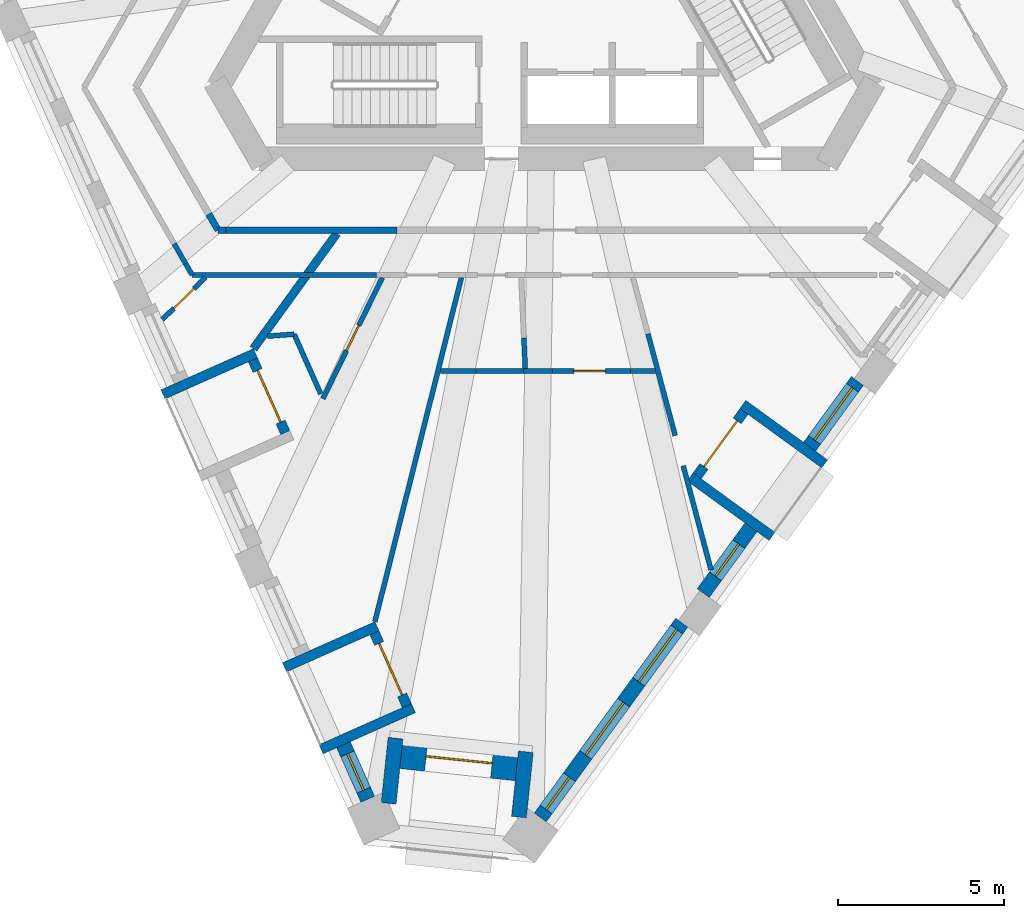
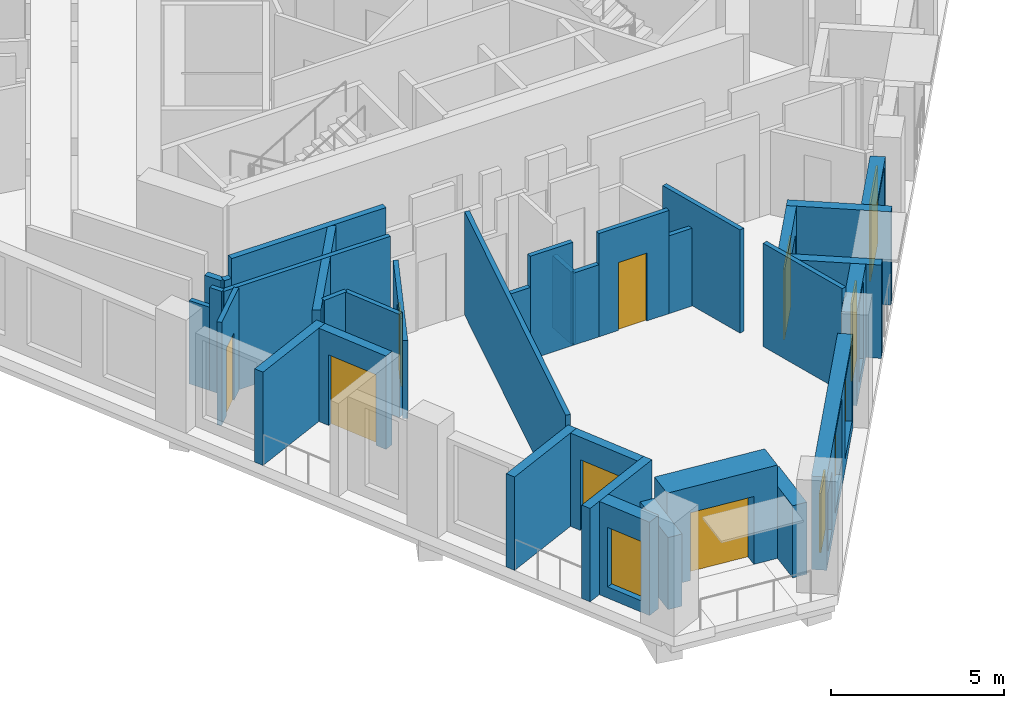
# One storey, part 2 of 11: 35 walls, 7 doors, 6 windows, 13 openings.
"""IFC4 building model written with IfcOpenShell, lengths in metres."""

from ifc_helpers import new_model, si_unit, direction, frame, frame_2d, origin, place, context, subcontext, project, spatial, rectangle, extrude, material, layer, layer_set, type_object, element, fill, save


model = new_model("IFC4")

# Units and contexts
model_context = context("Model", 3, precision=1e-05, world=origin(), true_north=direction((0.0, 1.0)))
body_context = subcontext(model_context, "Body", "Model", "MODEL_VIEW")
ifc_project = project(units=[si_unit("LENGTHUNIT", "METRE"), si_unit("AREAUNIT", "SQUARE_METRE"), si_unit("VOLUMEUNIT", "CUBIC_METRE"), si_unit("PLANEANGLEUNIT", "RADIAN"), si_unit("MASSUNIT", "GRAM", prefix="KILO")], contexts=[model_context])

# Site, building, storey
site_placement = place(None, origin())
site = spatial("IfcSite", under=ifc_project, at=site_placement, CompositionType="ELEMENT")
building_placement = place(site_placement, origin())
building = spatial("IfcBuilding", under=site, at=building_placement, Name="Tramontana Tower", CompositionType="ELEMENT")
storey_placement = place(building_placement, frame((0.0, 0.0, 249.199951171875)))
storey = spatial("IfcBuildingStorey", under=building, at=storey_placement, Name="L58", CompositionType="ELEMENT", Elevation=249.199951171875)

# Walls
ifc_material_1 = material(Name="Blockwork", Category="masonry")
ifc_layer_1 = layer(ifc_material_1, 0.199951171875)
ifc_layer_set_1 = layer_set([ifc_layer_1], Name="ENTRY WALL 200")
wall_type_1 = type_object("IfcWallType", Name="ENTRY WALL 200", PredefinedType="SOLIDWALL", material=ifc_layer_set_1)
wall_1_placement = place(storey_placement, frame((-4.447998046875, -8.550048828125, 0.0), z_axis=(0.0, 0.0, 1.0), x_axis=(-1.0, 0.0, 0.0)))
element("IfcWall", 1, at=wall_1_placement, inside=storey, type_object=wall_type_1, Name="Wall v61-ew1-10", PredefinedType="SOLIDWALL", context=body_context, shape_type="SweptSolid", body=[
    extrude(rectangle(XDim=5.161376953125, YDim=0.199951171875, at=frame_2d((2.58056640625, 0.0))), origin(), (0.0, 0.0, 1.0), 3.650146484375),
])
wall_2_placement = place(storey_placement, frame((-9.609375, -8.550048828125, 0.0), z_axis=(0.0, 0.0, 1.0), x_axis=(-1.0, 0.0, 0.0)))
element("IfcWall", 2, at=wall_2_placement, inside=storey, type_object=wall_type_1, Name="Wall v61-ew1-11", PredefinedType="SOLIDWALL", context=body_context, shape_type="SweptSolid", body=[
    extrude(rectangle(XDim=0.234375, YDim=0.199951171875, at=frame_2d((0.1171875, 0.0))), origin(), (0.0, 0.0, 1.0), 2.949951171875),
])
wall_3_placement = place(storey_placement, frame((-9.84375, -8.550048828125, 0.0), z_axis=(0.0, 0.0, 1.0), x_axis=(-0.500000383388, 0.866025182435, 0.0)))
element("IfcWall", 3, at=wall_3_placement, inside=storey, type_object=wall_type_1, Name="Wall v61-ew2-0", PredefinedType="SOLIDWALL", context=body_context, shape_type="SweptSolid", body=[
    extrude(rectangle(XDim=0.5576171875, YDim=0.199951171875, at=frame_2d((0.27880859375, 0.0))), origin(), (0.0, 0.0, 1.0), 2.949951171875),
])

# Wall, opening, window
ifc_material_2 = material(Name="Precast concrete 60 MPa", Category="concrete")
ifc_layer_2 = layer(ifc_material_2, 0.449951171875)
ifc_layer_set_2 = layer_set([ifc_layer_2], Name="Precast concrete 60 MPa, 450 mm")
wall_type_2 = type_object("IfcWallType", Name="EW1 Stone-faced precast wall 450", PredefinedType="SOLIDWALL", material=ifc_layer_set_2)
wall_4_placement = place(storey_placement, frame((-6.062744140625, -24.060546875, 0.0), z_axis=(0.0, 0.0, 1.0), x_axis=(0.406666293293, -0.913576776138, 0.0)))
wall_4 = element("IfcWall", 4, at=wall_4_placement, inside=storey, type_object=wall_type_2, Name="External wall L58 face 0 bay 5", PredefinedType="SOLIDWALL", context=body_context, shape_type="SweptSolid", body=[
    extrude(rectangle(XDim=1.80224609375, YDim=0.449951171875, at=frame_2d((0.901123046875, 0.0))), origin(), (0.0, 0.0, 1.0), 3.300048828125),
])
opening_1_placement = place(wall_4_placement, frame((0.301025390625, 0.0, 0.39990234375)))
opening_1 = element("IfcOpeningElement", 5, at=opening_1_placement, cuts=wall_4, Name="Opening N3L", PredefinedType="OPENING", context=body_context, shape_type="SweptSolid", body=[
    extrude(rectangle(XDim=1.199951171875, YDim=2.10009765625, at=frame_2d((0.60009765625, 1.050048828125))), frame((0.0, 0.23486328125, 0.0), z_axis=(0.0, -1.0, 0.0), x_axis=(1.0, 0.0, 0.0)), (0.0, 0.0, 1.0), 0.469970703125),
])
ifc_material_3 = material(Name="Aluminum frame, double glazing unit", Category="aluminium")
window_type_1 = type_object("IfcWindowType", Name="N3L Window 1.2 x 2.1", PartitioningType="SINGLE_PANEL", PredefinedType="WINDOW", material=ifc_material_3)
window_1_placement = place(opening_1_placement, origin())
window_1 = element("IfcWindow", 6, at=window_1_placement, inside=storey, type_object=window_type_1, Name="Window N3L L58 face 0 module 15", OverallHeight=2.10009765625, OverallWidth=1.199951171875, PartitioningType="SINGLE_PANEL", PredefinedType="WINDOW", context=body_context, shape_type="SweptSolid", body=[
    extrude(rectangle(XDim=1.199951171875, YDim=2.10009765625, at=frame_2d((0.60009765625, 1.050048828125))), frame((0.0, 0.030029296875, 0.0), z_axis=(0.0, -1.0, 0.0), x_axis=(1.0, 0.0, 0.0)), (0.0, 0.0, 1.0), 0.06005859375),
])
fill(opening_1, window_1)

# Wall, openings, windows
wall_5_placement = place(storey_placement, frame((-0.13134765625, -26.25341796875, 0.0), z_axis=(0.0, 0.0, 1.0), x_axis=(0.587781549195, 0.80901968482, 0.0)))
wall_5 = element("IfcWall", 7, at=wall_5_placement, inside=storey, type_object=wall_type_2, Name="External wall L58 face 1 bay 1", PredefinedType="SOLIDWALL", context=body_context, shape_type="SweptSolid", body=[
    extrude(rectangle(XDim=7.2568359375, YDim=0.449951171875, at=frame_2d((3.62841796875, 0.0))), origin(), (0.0, 0.0, 1.0), 3.300048828125),
])
opening_2_placement = place(wall_5_placement, frame((0.301025390625, 0.0, 0.39990234375)))
opening_2 = element("IfcOpeningElement", 8, at=opening_2_placement, cuts=wall_5, Name="Opening N3L", PredefinedType="OPENING", context=body_context, shape_type="SweptSolid", body=[
    extrude(rectangle(XDim=1.199951171875, YDim=2.10009765625, at=frame_2d((0.60009765625, 1.050048828125))), frame((0.0, 0.23486328125, 0.0), z_axis=(0.0, -1.0, 0.0), x_axis=(1.0, 0.0, 0.0)), (0.0, 0.0, 1.0), 0.469970703125),
])
opening_3_placement = place(wall_5_placement, frame((2.328369140625, 0.0, 0.39990234375)))
opening_3 = element("IfcOpeningElement", 9, at=opening_3_placement, cuts=wall_5, Name="Opening M3", PredefinedType="OPENING", context=body_context, shape_type="SweptSolid", body=[
    extrude(rectangle(XDim=1.949951171875, YDim=2.75, at=frame_2d((0.97509765625, 1.375))), frame((0.0, 0.23486328125, 0.0), z_axis=(0.0, -1.0, 0.0), x_axis=(1.0, 0.0, 0.0)), (0.0, 0.0, 1.0), 0.469970703125),
])
opening_4_placement = place(wall_5_placement, frame((5.0556640625, 0.0, 0.39990234375)))
opening_4 = element("IfcOpeningElement", 10, at=opening_4_placement, cuts=wall_5, Name="Opening M3", PredefinedType="OPENING", context=body_context, shape_type="SweptSolid", body=[
    extrude(rectangle(XDim=1.949951171875, YDim=2.75, at=frame_2d((0.97509765625, 1.375))), frame((0.0, 0.23486328125, 0.0), z_axis=(0.0, -1.0, 0.0), x_axis=(1.0, 0.0, 0.0)), (0.0, 0.0, 1.0), 0.469970703125),
])
ifc_material_4 = material(Name="Aluminum frame, double glazing unit", Category="aluminium")
window_type_2 = type_object("IfcWindowType", Name="M3 Window 1.95 x 2.75", PartitioningType="SINGLE_PANEL", PredefinedType="WINDOW", material=ifc_material_4)
window_2_placement = place(opening_3_placement, origin())
window_2 = element("IfcWindow", 11, at=window_2_placement, inside=storey, type_object=window_type_2, Name="Window M3 L58 face 1 module 2", OverallHeight=2.75, OverallWidth=1.949951171875, PartitioningType="SINGLE_PANEL", PredefinedType="WINDOW", context=body_context, shape_type="SweptSolid", body=[
    extrude(rectangle(XDim=1.949951171875, YDim=2.75, at=frame_2d((0.97509765625, 1.375))), frame((0.0, 0.030029296875, 0.0), z_axis=(0.0, -1.0, 0.0), x_axis=(1.0, 0.0, 0.0)), (0.0, 0.0, 1.0), 0.06005859375),
])
fill(opening_3, window_2)
window_3_placement = place(opening_4_placement, origin())
window_3 = element("IfcWindow", 12, at=window_3_placement, inside=storey, type_object=window_type_2, Name="Window M3 L58 face 1 module 3", OverallHeight=2.75, OverallWidth=1.949951171875, PartitioningType="SINGLE_PANEL", PredefinedType="WINDOW", context=body_context, shape_type="SweptSolid", body=[
    extrude(rectangle(XDim=1.949951171875, YDim=2.75, at=frame_2d((0.97509765625, 1.375))), frame((0.0, 0.030029296875, 0.0), z_axis=(0.0, -1.0, 0.0), x_axis=(1.0, 0.0, 0.0)), (0.0, 0.0, 1.0), 0.06005859375),
])
fill(opening_4, window_3)
window_4_placement = place(opening_2_placement, origin())
window_4 = element("IfcWindow", 13, at=window_4_placement, inside=storey, type_object=window_type_1, Name="Window N3L L58 face 1 module 1", OverallHeight=2.10009765625, OverallWidth=1.199951171875, PartitioningType="SINGLE_PANEL", PredefinedType="WINDOW", context=body_context, shape_type="SweptSolid", body=[
    extrude(rectangle(XDim=1.199951171875, YDim=2.10009765625, at=frame_2d((0.60009765625, 1.050048828125))), frame((0.0, 0.030029296875, 0.0), z_axis=(0.0, -1.0, 0.0), x_axis=(1.0, 0.0, 0.0)), (0.0, 0.0, 1.0), 0.06005859375),
])
fill(opening_2, window_4)

# Wall, opening, window
wall_6_placement = place(storey_placement, frame((4.780517578125, -19.49267578125, 0.0), z_axis=(0.0, 0.0, 1.0), x_axis=(0.587792773076, 0.809011530152, 0.0)))
wall_6 = element("IfcWall", 14, at=wall_6_placement, inside=storey, type_object=wall_type_2, Name="External wall L58 face 1 bay 2", PredefinedType="SOLIDWALL", context=body_context, shape_type="SweptSolid", body=[
    extrude(rectangle(XDim=2.4521484375, YDim=0.449951171875, at=frame_2d((1.22607421875, 0.0))), origin(), (0.0, 0.0, 1.0), 3.300048828125),
])
opening_5_placement = place(wall_6_placement, frame((0.626220703125, 0.0, 0.39990234375)))
opening_5 = element("IfcOpeningElement", 15, at=opening_5_placement, cuts=wall_6, Name="Opening N3", PredefinedType="OPENING", context=body_context, shape_type="SweptSolid", body=[
    extrude(rectangle(XDim=1.199951171875, YDim=2.75, at=frame_2d((0.60009765625, 1.375))), frame((0.0, 0.23486328125, 0.0), z_axis=(0.0, -1.0, 0.0), x_axis=(1.0, 0.0, 0.0)), (0.0, 0.0, 1.0), 0.469970703125),
])
ifc_material_5 = material(Name="Aluminum frame, double glazing unit", Category="aluminium")
window_type_3 = type_object("IfcWindowType", Name="N3 Window 1.2 x 2.75", PartitioningType="SINGLE_PANEL", PredefinedType="WINDOW", material=ifc_material_5)
window_5_placement = place(opening_5_placement, origin())
window_5 = element("IfcWindow", 16, at=window_5_placement, inside=storey, type_object=window_type_3, Name="Window N3 L58 face 1 module 4", OverallHeight=2.75, OverallWidth=1.199951171875, PartitioningType="SINGLE_PANEL", PredefinedType="WINDOW", context=body_context, shape_type="SweptSolid", body=[
    extrude(rectangle(XDim=1.199951171875, YDim=2.75, at=frame_2d((0.60009765625, 1.375))), frame((0.0, 0.030029296875, 0.0), z_axis=(0.0, -1.0, 0.0), x_axis=(1.0, 0.0, 0.0)), (0.0, 0.0, 1.0), 0.06005859375),
])
fill(opening_5, window_5)

wall_7_placement = place(storey_placement, frame((7.986572265625, -15.079833984375, 0.0), z_axis=(0.0, 0.0, 1.0), x_axis=(0.587792773076, 0.809011530152, 0.0)))
wall_7 = element("IfcWall", 17, at=wall_7_placement, inside=storey, type_object=wall_type_2, Name="External wall L58 face 1 bay 2", PredefinedType="SOLIDWALL", context=body_context, shape_type="SweptSolid", body=[
    extrude(rectangle(XDim=2.4521484375, YDim=0.449951171875, at=frame_2d((1.22607421875, 0.0))), origin(), (0.0, 0.0, 1.0), 3.300048828125),
])
opening_6_placement = place(wall_7_placement, frame((0.251220703125, 0.0, 0.39990234375)))
opening_6 = element("IfcOpeningElement", 18, at=opening_6_placement, cuts=wall_7, Name="Opening M3", PredefinedType="OPENING", context=body_context, shape_type="SweptSolid", body=[
    extrude(rectangle(XDim=1.949951171875, YDim=2.75, at=frame_2d((0.97509765625, 1.375))), frame((0.0, 0.23486328125, 0.0), z_axis=(0.0, -1.0, 0.0), x_axis=(1.0, 0.0, 0.0)), (0.0, 0.0, 1.0), 0.469970703125),
])
window_6_placement = place(opening_6_placement, origin())
window_6 = element("IfcWindow", 19, at=window_6_placement, inside=storey, type_object=window_type_2, Name="Window M3 L58 face 1 module 6", OverallHeight=2.75, OverallWidth=1.949951171875, PartitioningType="SINGLE_PANEL", PredefinedType="WINDOW", context=body_context, shape_type="SweptSolid", body=[
    extrude(rectangle(XDim=1.949951171875, YDim=2.75, at=frame_2d((0.97509765625, 1.375))), frame((0.0, 0.030029296875, 0.0), z_axis=(0.0, -1.0, 0.0), x_axis=(1.0, 0.0, 0.0)), (0.0, 0.0, 1.0), 0.06005859375),
])
fill(opening_6, window_6)

# Walls
for number, where, z_axis, x_axis, name in (
    (20, (-0.772216796875, -26.2421875, 0.0), (0.0, 0.0, 1.0), (0.104485716945, 0.994526387259, 0.0), "Corner loggia side wall L58 K61l"),
    (21, (-4.70068359375, -25.829345703125, 0.0), (0.0, 0.0, 1.0), (0.104607727594, 0.994513561158, 0.0), "Corner loggia side wall L58 K61r"),
):
    element("IfcWall", number, at=place(storey_placement, frame(where, z_axis=z_axis, x_axis=x_axis)), inside=storey, type_object=wall_type_2, Name=name, PredefinedType="SOLIDWALL", context=body_context, shape_type="SweptSolid", body=[
        extrude(rectangle(XDim=1.97900390625, YDim=0.449951171875, at=frame_2d((0.989501953125, 0.0))), origin(), (0.0, 0.0, 1.0), 2.550048828125),
    ])

# Wall, opening, door
ifc_material_6 = material(Name="Precast concrete 60 MPa", Category="concrete")
ifc_layer_3 = layer(ifc_material_6, 0.89990234375)
ifc_layer_set_3 = layer_set([ifc_layer_3], Name="EW2 Stone-faced corner loggia wall 900")
wall_type_3 = type_object("IfcWallType", Name="EW2 Stone-faced corner loggia wall 900", PredefinedType="SOLIDWALL", material=ifc_layer_set_3)
wall_8_placement = place(storey_placement, frame((-0.836181640625, -24.697998046875, 0.0), z_axis=(0.0, 0.0, 1.0), x_axis=(-0.994518821828, 0.104557701916, 0.0)))
wall_8 = element("IfcWall", 22, at=wall_8_placement, inside=storey, type_object=wall_type_3, Name="Corner loggia wall L58 K61", PredefinedType="SOLIDWALL", context=body_context, shape_type="SweptSolid", body=[
    extrude(rectangle(XDim=3.500244140625, YDim=0.89990234375, at=frame_2d((1.75, 0.0))), origin(), (0.0, 0.0, 1.0), 3.300048828125),
])
opening_7_placement = place(wall_8_placement, frame((0.75, 0.0, 0.0)))
opening_7 = element("IfcOpeningElement", 23, at=opening_7_placement, cuts=wall_8, Name="Opening BD-61C", PredefinedType="OPENING", context=body_context, shape_type="SweptSolid", body=[
    extrude(rectangle(XDim=2.0, YDim=2.39990234375, at=frame_2d((1.0, 1.199951171875))), frame((0.0, 0.4599609375, 0.0), z_axis=(0.0, -1.0, 0.0), x_axis=(1.0, 0.0, 0.0)), (0.0, 0.0, 1.0), 0.919921875),
])
ifc_material_7 = material(Name="Aluminum frame, double glazing unit", Category="aluminium")
door_type_1 = type_object("IfcDoorType", Name="BC1 Sliding door 2 x 2.4", OperationType="SLIDING_TO_LEFT", PredefinedType="DOOR", material=ifc_material_7)
door_1_placement = place(opening_7_placement, origin())
door_1 = element("IfcDoor", 24, at=door_1_placement, inside=storey, type_object=door_type_1, Name="Corner loggia door L58 K61", OperationType="SLIDING_TO_LEFT", OverallHeight=2.39990234375, OverallWidth=2.0, PredefinedType="DOOR", context=body_context, shape_type="SweptSolid", body=[
    extrude(rectangle(XDim=2.0, YDim=2.39990234375, at=frame_2d((1.0, 1.199951171875))), frame((0.0, 0.02490234375, 0.0), z_axis=(0.0, -1.0, 0.0), x_axis=(1.0, 0.0, 0.0)), (0.0, 0.0, 1.0), 0.050048828125),
])
fill(opening_7, door_1)

ifc_material_8 = material(Name="Precast concrete 60 MPa", Category="concrete")
ifc_layer_4 = layer(ifc_material_8, 0.300048828125)
ifc_layer_set_4 = layer_set([ifc_layer_4], Name="LW1 Stone-faced loggia wall 300")
wall_type_4 = type_object("IfcWallType", Name="LW1 Stone-faced loggia wall 300", PredefinedType="SOLIDWALL", material=ifc_layer_set_4)
wall_9_placement = place(storey_placement, frame((-8.792724609375, -12.458984375, 0.0), z_axis=(0.0, 0.0, 1.0), x_axis=(0.406723017018, -0.913551524232, 0.0)))
wall_9 = element("IfcWall", 25, at=wall_9_placement, inside=storey, type_object=wall_type_4, Name="Loggia wall L58 G6S0.10", PredefinedType="SOLIDWALL", context=body_context, shape_type="SweptSolid", body=[
    extrude(rectangle(XDim=2.40234375, YDim=0.300048828125, at=frame_2d((1.201171875, 0.0))), origin(), (0.0, 0.0, 1.0), 3.300048828125),
])
opening_8_placement = place(wall_9_placement, frame((0.35107421875, 0.0, 0.0)))
opening_8 = element("IfcOpeningElement", 26, at=opening_8_placement, cuts=wall_9, Name="Opening BD-6S0-10", PredefinedType="OPENING", context=body_context, shape_type="SweptSolid", body=[
    extrude(rectangle(XDim=1.699951171875, YDim=2.5, at=frame_2d((0.85009765625, 1.25))), frame((0.0, 0.159912109375, 0.0), z_axis=(0.0, -1.0, 0.0), x_axis=(1.0, 0.0, 0.0)), (0.0, 0.0, 1.0), 0.320068359375),
])
ifc_material_9 = material(Name="Aluminum frame, double glazing unit", Category="aluminium")
door_type_2 = type_object("IfcDoorType", Name="BD3 Sliding door 1.7 x 2.5", OperationType="SLIDING_TO_LEFT", PredefinedType="DOOR", material=ifc_material_9)
door_2_placement = place(opening_8_placement, origin())
door_2 = element("IfcDoor", 27, at=door_2_placement, inside=storey, type_object=door_type_2, Name="Loggia door L58 G6S0.10", OperationType="SLIDING_TO_LEFT", OverallHeight=2.5, OverallWidth=1.699951171875, PredefinedType="DOOR", context=body_context, shape_type="SweptSolid", body=[
    extrude(rectangle(XDim=1.699951171875, YDim=2.5, at=frame_2d((0.85009765625, 1.25))), frame((0.0, 0.02490234375, 0.0), z_axis=(0.0, -1.0, 0.0), x_axis=(1.0, 0.0, 0.0)), (0.0, 0.0, 1.0), 0.050048828125),
])
fill(opening_8, door_2)

# Wall
wall_10_placement = place(storey_placement, frame((-11.5029296875, -13.50146484375, 0.0), z_axis=(0.0, 0.0, 1.0), x_axis=(0.913557205168, 0.406710256677, 0.0)))
element("IfcWall", 28, at=wall_10_placement, inside=storey, type_object=wall_type_4, Name="Loggia return L58 G6S0.10a", PredefinedType="SOLIDWALL", context=body_context, shape_type="SweptSolid", body=[
    extrude(rectangle(XDim=3.050048828125, YDim=0.300048828125, at=frame_2d((1.52490234375, 0.0))), origin(), (0.0, 0.0, 1.0), 3.300048828125),
])

# Wall, opening, door
wall_11_placement = place(storey_placement, frame((-5.12939453125, -20.68701171875, 0.0), z_axis=(0.0, 0.0, 1.0), x_axis=(0.406723017018, -0.913551524232, 0.0)))
wall_11 = element("IfcWall", 29, at=wall_11_placement, inside=storey, type_object=wall_type_4, Name="Loggia wall L58 G6S0.13", PredefinedType="SOLIDWALL", context=body_context, shape_type="SweptSolid", body=[
    extrude(rectangle(XDim=2.40234375, YDim=0.300048828125, at=frame_2d((1.201171875, 0.0))), origin(), (0.0, 0.0, 1.0), 3.300048828125),
])
opening_9_placement = place(wall_11_placement, frame((0.35107421875, 0.0, 0.0)))
opening_9 = element("IfcOpeningElement", 30, at=opening_9_placement, cuts=wall_11, Name="Opening BD-6S0-13", PredefinedType="OPENING", context=body_context, shape_type="SweptSolid", body=[
    extrude(rectangle(XDim=1.699951171875, YDim=2.5, at=frame_2d((0.85009765625, 1.25))), frame((0.0, 0.159912109375, 0.0), z_axis=(0.0, -1.0, 0.0), x_axis=(1.0, 0.0, 0.0)), (0.0, 0.0, 1.0), 0.320068359375),
])
door_3_placement = place(opening_9_placement, origin())
door_3 = element("IfcDoor", 31, at=door_3_placement, inside=storey, type_object=door_type_2, Name="Loggia door L58 G6S0.13", OperationType="SLIDING_TO_LEFT", OverallHeight=2.5, OverallWidth=1.699951171875, PredefinedType="DOOR", context=body_context, shape_type="SweptSolid", body=[
    extrude(rectangle(XDim=1.699951171875, YDim=2.5, at=frame_2d((0.85009765625, 1.25))), frame((0.0, 0.02490234375, 0.0), z_axis=(0.0, -1.0, 0.0), x_axis=(1.0, 0.0, 0.0)), (0.0, 0.0, 1.0), 0.050048828125),
])
fill(opening_9, door_3)

# Walls
for number, where, z_axis, x_axis, name in (
    (32, (-7.839599609375, -21.7294921875, 0.0), (0.0, 0.0, 1.0), (0.913557205168, 0.406710256677, 0.0), "Loggia return L58 G6S0.13a"),
    (33, (-6.740478515625, -24.197998046875, 0.0), (0.0, 0.0, 1.0), (0.913557205168, 0.406710256677, 0.0), "Loggia return L58 G6S0.13b"),
):
    element("IfcWall", number, at=place(storey_placement, frame(where, z_axis=z_axis, x_axis=x_axis)), inside=storey, type_object=wall_type_4, Name=name, PredefinedType="SOLIDWALL", context=body_context, shape_type="SweptSolid", body=[
        extrude(rectangle(XDim=3.050048828125, YDim=0.300048828125, at=frame_2d((1.52490234375, 0.0))), origin(), (0.0, 0.0, 1.0), 3.300048828125),
    ])

# Wall, opening, door
wall_12_placement = place(storey_placement, frame((4.59814453125, -15.958251953125, 0.0), z_axis=(0.0, 0.0, 1.0), x_axis=(0.587833242688, 0.808982125137, 0.0)))
wall_12 = element("IfcWall", 34, at=wall_12_placement, inside=storey, type_object=wall_type_4, Name="Loggia wall L58 G6S1.4", PredefinedType="SOLIDWALL", context=body_context, shape_type="SweptSolid", body=[
    extrude(rectangle(XDim=2.40234375, YDim=0.300048828125, at=frame_2d((1.201171875, 0.0))), origin(), (0.0, 0.0, 1.0), 3.300048828125),
])
opening_10_placement = place(wall_12_placement, frame((0.35107421875, 0.0, 0.0)))
opening_10 = element("IfcOpeningElement", 35, at=opening_10_placement, cuts=wall_12, Name="Opening BD-6S1-04", PredefinedType="OPENING", context=body_context, shape_type="SweptSolid", body=[
    extrude(rectangle(XDim=1.699951171875, YDim=2.5, at=frame_2d((0.85009765625, 1.25))), frame((0.0, 0.159912109375, 0.0), z_axis=(0.0, -1.0, 0.0), x_axis=(1.0, 0.0, 0.0)), (0.0, 0.0, 1.0), 0.320068359375),
])
door_4_placement = place(opening_10_placement, origin())
door_4 = element("IfcDoor", 36, at=door_4_placement, inside=storey, type_object=door_type_2, Name="Loggia door L58 G6S1.4", OperationType="SLIDING_TO_LEFT", OverallHeight=2.5, OverallWidth=1.699951171875, PredefinedType="DOOR", context=body_context, shape_type="SweptSolid", body=[
    extrude(rectangle(XDim=1.699951171875, YDim=2.5, at=frame_2d((0.85009765625, 1.25))), frame((0.0, 0.02490234375, 0.0), z_axis=(0.0, -1.0, 0.0), x_axis=(1.0, 0.0, 0.0)), (0.0, 0.0, 1.0), 0.050048828125),
])
fill(opening_10, door_4)

# Walls
for number, where, z_axis, x_axis, name in (
    (37, (6.856201171875, -17.7841796875, 0.0), (0.0, 0.0, 1.0), (-0.80902328748, 0.587776590479, 0.0), "Loggia return L58 G6S1.4a"),
    (38, (8.4443359375, -15.59814453125, 0.0), (0.0, 0.0, 1.0), (-0.808957563125, 0.587867043696, 0.0), "Loggia return L58 G6S1.4b"),
):
    element("IfcWall", number, at=place(storey_placement, frame(where, z_axis=z_axis, x_axis=x_axis)), inside=storey, type_object=wall_type_4, Name=name, PredefinedType="SOLIDWALL", context=body_context, shape_type="SweptSolid", body=[
        extrude(rectangle(XDim=3.050048828125, YDim=0.300048828125, at=frame_2d((1.52490234375, 0.0))), origin(), (0.0, 0.0, 1.0), 3.300048828125),
    ])

# Wall, opening, door
ifc_material_10 = material(Name="Gypsum board partition")
ifc_layer_5 = layer(ifc_material_10, 0.14990234375)
ifc_layer_set_5 = layer_set([ifc_layer_5], Name="PARTITION 150")
wall_type_5 = type_object("IfcWallType", Name="PARTITION 150", PredefinedType="PARTITIONING", material=ifc_layer_set_5)
wall_13_placement = place(storey_placement, frame((-10.22119140625, -9.97509765625, 0.0), z_axis=(0.0, 0.0, 1.0), x_axis=(-0.715714825307, -0.698392646608, 0.0)))
wall_13 = element("IfcWall", 39, at=wall_13_placement, inside=storey, type_object=wall_type_5, Name="Wall v61-pw03", PredefinedType="PARTITIONING", context=body_context, shape_type="SweptSolid", body=[
    extrude(rectangle(XDim=1.818115234375, YDim=0.14990234375, at=frame_2d((0.9091796875, 0.0))), origin(), (0.0, 0.0, 1.0), 3.650146484375),
])
opening_11_placement = place(wall_13_placement, frame((0.484130859375, 0.0, 0.0)))
opening_11 = element("IfcOpeningElement", 40, at=opening_11_placement, cuts=wall_13, Name="Opening B6B-07", PredefinedType="OPENING", context=body_context, shape_type="SweptSolid", body=[
    extrude(rectangle(XDim=0.85009765625, YDim=2.39990234375, at=frame_2d((0.425048828125, 1.199951171875))), frame((0.0, 0.0849609375, 0.0), z_axis=(0.0, -1.0, 0.0), x_axis=(1.0, 0.0, 0.0)), (0.0, 0.0, 1.0), 0.169921875),
])
ifc_material_11 = material(Name="Painted timber", Category="wood")
door_type_3 = type_object("IfcDoorType", Name="DOOR BATH 850", OperationType="SINGLE_SWING_LEFT", PredefinedType="DOOR", material=ifc_material_11)
door_5_placement = place(opening_11_placement, origin())
door_5 = element("IfcDoor", 41, at=door_5_placement, inside=storey, type_object=door_type_3, Name="Door B6B-07", OperationType="SINGLE_SWING_LEFT", OverallHeight=2.39990234375, OverallWidth=0.85009765625, PredefinedType="DOOR", context=body_context, shape_type="SweptSolid", body=[
    extrude(rectangle(XDim=0.85009765625, YDim=2.39990234375, at=frame_2d((0.425048828125, 1.199951171875))), frame((0.0, 0.02490234375, 0.0), z_axis=(0.0, -1.0, 0.0), x_axis=(1.0, 0.0, 0.0)), (0.0, 0.0, 1.0), 0.050048828125),
])
fill(opening_11, door_5)

# Walls
wall_14_placement = place(storey_placement, frame((-10.623291015625, -9.89990234375, 0.0), z_axis=(0.0, 0.0, 1.0), x_axis=(-0.499899443193, 0.866083452501, 0.0)))
element("IfcWall", 42, at=wall_14_placement, inside=storey, type_object=wall_type_5, Name="Wall v61-pw05-0", PredefinedType="PARTITIONING", context=body_context, shape_type="SweptSolid", body=[
    extrude(rectangle(XDim=0.39794921875, YDim=0.14990234375, at=frame_2d((0.198974609375, 0.0))), origin(), (0.0, 0.0, 1.0), 3.650146484375),
])
wall_15_placement = place(storey_placement, frame((-10.822265625, -9.55517578125, 0.0), z_axis=(0.0, 0.0, 1.0), x_axis=(-0.499969057507, 0.866043267704, 0.0)))
element("IfcWall", 43, at=wall_15_placement, inside=storey, type_object=wall_type_5, Name="Wall v61-pw05-1", PredefinedType="PARTITIONING", context=body_context, shape_type="SweptSolid", body=[
    extrude(rectangle(XDim=0.685546875, YDim=0.14990234375, at=frame_2d((0.3427734375, 0.0))), origin(), (0.0, 0.0, 1.0), 2.949951171875),
])
wall_16_placement = place(storey_placement, frame((-7.55029296875, -11.686767578125, 0.0), z_axis=(0.0, 0.0, 1.0), x_axis=(-0.997150320781, -0.075440292725, 0.0)))
element("IfcWall", 44, at=wall_16_placement, inside=storey, type_object=wall_type_5, Name="Wall v61-pw10", PredefinedType="PARTITIONING", context=body_context, shape_type="SweptSolid", body=[
    extrude(rectangle(XDim=0.802490234375, YDim=0.14990234375, at=frame_2d((0.4013671875, 0.0))), origin(), (0.0, 0.0, 1.0), 3.650146484375),
])
wall_17_placement = place(storey_placement, frame((-6.74755859375, -13.48681640625, 0.0), z_axis=(0.0, 0.0, 1.0), x_axis=(-0.406690599402, 0.913565956217, 0.0)))
element("IfcWall", 45, at=wall_17_placement, inside=storey, type_object=wall_type_5, Name="Wall v61-pw11-1", PredefinedType="PARTITIONING", context=body_context, shape_type="SweptSolid", body=[
    extrude(rectangle(XDim=1.968994140625, YDim=0.14990234375, at=frame_2d((0.984375, 0.0))), origin(), (0.0, 0.0, 1.0), 3.650146484375),
])
wall_18_placement = place(storey_placement, frame((-5.1142578125, -20.351806640625, 0.0), z_axis=(0.0, 0.0, 1.0), x_axis=(0.243721993926, 0.969845136956, 0.0)))
element("IfcWall", 46, at=wall_18_placement, inside=storey, type_object=wall_type_5, Name="Wall v61-pw13", PredefinedType="PARTITIONING", context=body_context, shape_type="SweptSolid", body=[
    extrude(rectangle(XDim=10.699462890625, YDim=0.14990234375, at=frame_2d((5.349609375, 0.0))), origin(), (0.0, 0.0, 1.0), 3.650146484375),
])

# Wall, opening, door
wall_19_placement = place(storey_placement, frame((-6.68212890625, -13.6337890625, 0.0), z_axis=(0.0, 0.0, 1.0), x_axis=(0.440105116834, 0.897946260161, 0.0)))
wall_19 = element("IfcWall", 47, at=wall_19_placement, inside=storey, type_object=wall_type_5, Name="Wall v61-pw14-0", PredefinedType="PARTITIONING", context=body_context, shape_type="SweptSolid", body=[
    extrude(rectangle(XDim=4.074462890625, YDim=0.14990234375, at=frame_2d((2.037109375, 0.0))), origin(), (0.0, 0.0, 1.0), 2.75),
])
opening_12_placement = place(wall_19_placement, frame((1.6123046875, 0.0, 0.0)))
opening_12 = element("IfcOpeningElement", 48, at=opening_12_placement, cuts=wall_19, Name="Opening B6B-12", PredefinedType="OPENING", context=body_context, shape_type="SweptSolid", body=[
    extrude(rectangle(XDim=0.85009765625, YDim=2.39990234375, at=frame_2d((0.425048828125, 1.199951171875))), frame((0.0, 0.0849609375, 0.0), z_axis=(0.0, -1.0, 0.0), x_axis=(1.0, 0.0, 0.0)), (0.0, 0.0, 1.0), 0.169921875),
])
door_6_placement = place(opening_12_placement, origin())
door_6 = element("IfcDoor", 49, at=door_6_placement, inside=storey, type_object=door_type_3, Name="Door B6B-12", OperationType="SINGLE_SWING_RIGHT", OverallHeight=2.39990234375, OverallWidth=0.85009765625, PredefinedType="DOOR", context=body_context, shape_type="SweptSolid", body=[
    extrude(rectangle(XDim=0.85009765625, YDim=2.39990234375, at=frame_2d((0.425048828125, 1.199951171875))), frame((0.0, 0.02490234375, 0.0), z_axis=(0.0, -1.0, 0.0), x_axis=(1.0, 0.0, 0.0)), (0.0, 0.0, 1.0), 0.050048828125),
])
fill(opening_12, door_6)

# Walls
wall_20_placement = place(storey_placement, frame((-0.57958984375, -12.7978515625, 0.0), z_axis=(0.0, 0.0, 1.0), x_axis=(-0.044324993646, 0.999017164486, 0.0)))
element("IfcWall", 50, at=wall_20_placement, inside=storey, type_object=wall_type_5, Name="Wall v61-pw17-0", PredefinedType="PARTITIONING", context=body_context, shape_type="SweptSolid", body=[
    extrude(rectangle(XDim=1.00244140625, YDim=0.14990234375, at=frame_2d((0.501220703125, 0.0))), origin(), (0.0, 0.0, 1.0), 2.550048828125),
])
wall_21_placement = place(storey_placement, frame((3.116943359375, -11.678466796875, 0.0), z_axis=(0.0, 0.0, 1.0), x_axis=(0.257839841258, -0.966187671345, 0.0)))
element("IfcWall", 51, at=wall_21_placement, inside=storey, type_object=wall_type_5, Name="Wall v61-pw18-1", PredefinedType="PARTITIONING", context=body_context, shape_type="SweptSolid", body=[
    extrude(rectangle(XDim=3.1728515625, YDim=0.14990234375, at=frame_2d((1.58642578125, 0.0))), origin(), (0.0, 0.0, 1.0), 3.650146484375),
])
wall_22_placement = place(storey_placement, frame((3.338623046875, -12.800048828125, 0.0), z_axis=(0.0, 0.0, 1.0), x_axis=(-1.0, 0.0, 0.0)))
element("IfcWall", 52, at=wall_22_placement, inside=storey, type_object=wall_type_5, Name="Wall v61-pw20-0", PredefinedType="PARTITIONING", context=body_context, shape_type="SweptSolid", body=[
    extrude(rectangle(XDim=0.75634765625, YDim=0.14990234375, at=frame_2d((0.378173828125, 0.0))), origin(), (0.0, 0.0, 1.0), 2.75),
])

# Wall, opening, door
wall_23_placement = place(storey_placement, frame((2.582275390625, -12.800048828125, 0.0), z_axis=(0.0, 0.0, 1.0), x_axis=(-1.0, 0.0, 0.0)))
wall_23 = element("IfcWall", 53, at=wall_23_placement, inside=storey, type_object=wall_type_5, Name="Wall v61-pw20-1", PredefinedType="PARTITIONING", context=body_context, shape_type="SweptSolid", body=[
    extrude(rectangle(XDim=2.34716796875, YDim=0.14990234375, at=frame_2d((1.173583984375, 0.0))), origin(), (0.0, 0.0, 1.0), 3.650146484375),
])
opening_13_placement = place(wall_23_placement, frame((0.747802734375, 0.0, 0.0)))
opening_13 = element("IfcOpeningElement", 54, at=opening_13_placement, cuts=wall_23, Name="Opening B6B-20", PredefinedType="OPENING", context=body_context, shape_type="SweptSolid", body=[
    extrude(rectangle(XDim=0.949951171875, YDim=2.39990234375, at=frame_2d((0.47509765625, 1.199951171875))), frame((0.0, 0.0849609375, 0.0), z_axis=(0.0, -1.0, 0.0), x_axis=(1.0, 0.0, 0.0)), (0.0, 0.0, 1.0), 0.169921875),
])
ifc_material_12 = material(Name="Painted timber", Category="wood")
door_type_4 = type_object("IfcDoorType", Name="DOOR ROOM 950", OperationType="SINGLE_SWING_LEFT", PredefinedType="DOOR", material=ifc_material_12)
door_7_placement = place(opening_13_placement, origin())
door_7 = element("IfcDoor", 55, at=door_7_placement, inside=storey, type_object=door_type_4, Name="Door B6B-20", OperationType="SINGLE_SWING_RIGHT", OverallHeight=2.39990234375, OverallWidth=0.949951171875, PredefinedType="DOOR", context=body_context, shape_type="SweptSolid", body=[
    extrude(rectangle(XDim=0.949951171875, YDim=2.39990234375, at=frame_2d((0.47509765625, 1.199951171875))), frame((0.0, 0.02490234375, 0.0), z_axis=(0.0, -1.0, 0.0), x_axis=(1.0, 0.0, 0.0)), (0.0, 0.0, 1.0), 0.050048828125),
])
fill(opening_13, door_7)

# Walls
wall_24_placement = place(storey_placement, frame((0.235107421875, -12.800048828125, 0.0), z_axis=(0.0, 0.0, 1.0), x_axis=(-1.0, 0.0, 0.0)))
element("IfcWall", 56, at=wall_24_placement, inside=storey, type_object=wall_type_5, Name="Wall v61-pw20-2", PredefinedType="PARTITIONING", context=body_context, shape_type="SweptSolid", body=[
    extrude(rectangle(XDim=0.875, YDim=0.14990234375, at=frame_2d((0.4375, 0.0))), origin(), (0.0, 0.0, 1.0), 2.550048828125),
])
wall_25_placement = place(storey_placement, frame((-0.639892578125, -12.800048828125, 0.0), z_axis=(0.0, 0.0, 1.0), x_axis=(-1.0, 0.0, 0.0)))
element("IfcWall", 57, at=wall_25_placement, inside=storey, type_object=wall_type_5, Name="Wall v61-pw20-3", PredefinedType="PARTITIONING", context=body_context, shape_type="SweptSolid", body=[
    extrude(rectangle(XDim=1.42431640625, YDim=0.14990234375, at=frame_2d((0.712158203125, 0.0))), origin(), (0.0, 0.0, 1.0), 3.650146484375),
])
wall_26_placement = place(storey_placement, frame((-2.064208984375, -12.800048828125, 0.0), z_axis=(0.0, 0.0, 1.0), x_axis=(-1.0, 0.0, 0.0)))
element("IfcWall", 58, at=wall_26_placement, inside=storey, type_object=wall_type_5, Name="Wall v61-pw20-4", PredefinedType="PARTITIONING", context=body_context, shape_type="SweptSolid", body=[
    extrude(rectangle(XDim=1.074951171875, YDim=0.14990234375, at=frame_2d((0.53759765625, 0.0))), origin(), (0.0, 0.0, 1.0), 2.550048828125),
])
wall_27_placement = place(storey_placement, frame((4.177734375, -15.65283203125, 0.0), z_axis=(0.0, 0.0, 1.0), x_axis=(0.257854653304, -0.966183718435, 0.0)))
element("IfcWall", 59, at=wall_27_placement, inside=storey, type_object=wall_type_5, Name="Wall v61-pw21", PredefinedType="PARTITIONING", context=body_context, shape_type="SweptSolid", body=[
    extrude(rectangle(XDim=3.24462890625, YDim=0.14990234375, at=frame_2d((1.622314453125, 0.0))), origin(), (0.0, 0.0, 1.0), 3.650146484375),
])
wall_28_placement = place(storey_placement, frame((-5.06689453125, -9.89990234375, 0.0), z_axis=(0.0, 0.0, 1.0), x_axis=(-1.0, 0.0, 0.0)))
element("IfcWall", 60, at=wall_28_placement, inside=storey, type_object=wall_type_5, Name="Wall v61-pw28-10", PredefinedType="PARTITIONING", context=body_context, shape_type="SweptSolid", body=[
    extrude(rectangle(XDim=5.556396484375, YDim=0.14990234375, at=frame_2d((2.7783203125, 0.0))), origin(), (0.0, 0.0, 1.0), 3.650146484375),
])
ifc_material_13 = material(Name="Blockwork", Category="masonry")
ifc_layer_6 = layer(ifc_material_13, 0.25)
ifc_layer_set_6 = layer_set([ifc_layer_6], Name="PARTY WALL 250")
wall_type_6 = type_object("IfcWallType", Name="PARTY WALL 250", PredefinedType="SOLIDWALL", material=ifc_layer_set_6)
wall_29_placement = place(storey_placement, frame((-6.262451171875, -8.64990234375, 0.0), z_axis=(0.0, 0.0, 1.0), x_axis=(-0.586417098103, -0.810009251214, 0.0)))
element("IfcWall", 61, at=wall_29_placement, inside=storey, type_object=wall_type_6, Name="Wall v61-pw12", PredefinedType="SOLIDWALL", context=body_context, shape_type="SweptSolid", body=[
    extrude(rectangle(XDim=4.2890625, YDim=0.25, at=frame_2d((2.14453125, 0.0))), origin(), (0.0, 0.0, 1.0), 3.650146484375),
])

save(model, "model.ifc")
